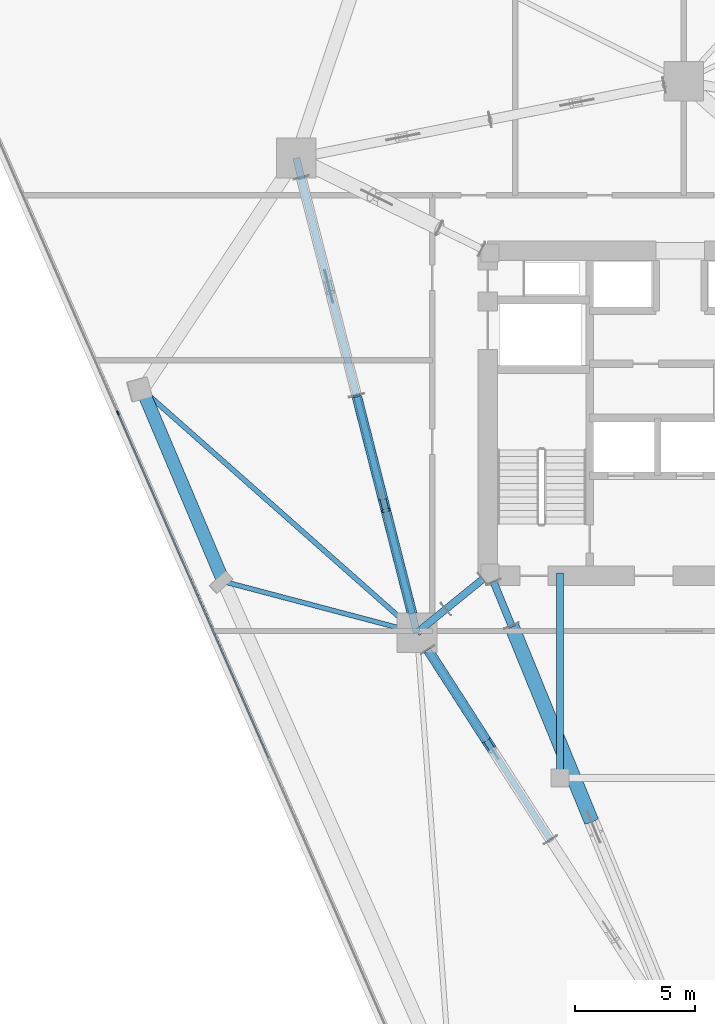
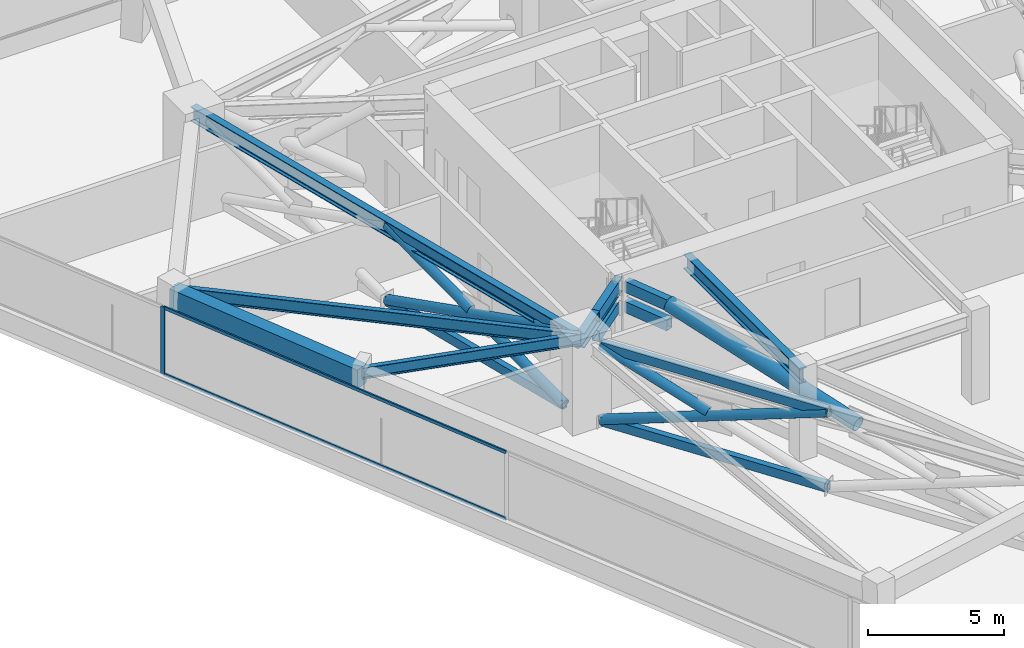
# One storey, part 4 of 15: 17 members, 6 beams, 1 element without a shape of its own.
"""IFC4 building model written with IfcOpenShell, lengths in metres."""

from ifc_helpers import new_model, si_unit, direction, frame, origin, origin_2d, place, context, subcontext, project, spatial, rectangle, hollow_rectangle, hollow_circle, i_section, extrude, material, layer, layer_set, material_profile, profile_set, type_object, element, aggregate, save


model = new_model("IFC4")

# Units and contexts
model_context = context("Model", 3, precision=1e-05, world=origin(), true_north=direction((0.0, 1.0)))
body_context = subcontext(model_context, "Body", "Model", "MODEL_VIEW")
ifc_project = project(units=[si_unit("LENGTHUNIT", "METRE"), si_unit("AREAUNIT", "SQUARE_METRE"), si_unit("VOLUMEUNIT", "CUBIC_METRE"), si_unit("PLANEANGLEUNIT", "RADIAN"), si_unit("MASSUNIT", "GRAM", prefix="KILO")], contexts=[model_context])

# Site, building, storey
site_placement = place(None, origin())
site = spatial("IfcSite", under=ifc_project, at=site_placement, CompositionType="ELEMENT")
building_placement = place(site_placement, origin())
building = spatial("IfcBuilding", under=site, at=building_placement, Name="Talyreon Biosciences Tower", CompositionType="ELEMENT")
storey_placement = place(building_placement, frame((0.0, 0.0, 118.800048828125)))
storey = spatial("IfcBuildingStorey", under=building, at=storey_placement, Name="L31", CompositionType="ELEMENT", Elevation=118.800048828125)

# Members
ifc_material_1 = material(Name="Steel SM355", Category="steel")
ifc_material_profile_1 = material_profile(ifc_material_1, hollow_circle(Radius=0.203125, WallThickness=0.01611328125, at=origin_2d()), Name="CHS 406.4x16")
ifc_profile_set_1 = profile_set([ifc_material_profile_1], Name="Steel SM355")
member_type_1 = type_object("IfcMemberType", Name="BeltBrace_CHS406", PredefinedType="BRACE", material=ifc_profile_set_1)
member_1_placement = place(storey_placement, frame((52.40576171875, 68.739501953125, 0.239990234375), z_axis=(0.231985116449, -0.911900773757, 0.338555585638), x_axis=(0.969131483005, 0.246544455723, 0.0)))
element("IfcMember", 1, at=member_1_placement, inside=storey, type_object=member_type_1, Name="L31 Continuous Diagonal BELT-L31-B5S2A", PredefinedType="BRACE", context=body_context, shape_type="SweptSolid", body=[
    extrude(hollow_circle(Radius=0.203125, WallThickness=0.01611328125, at=origin_2d()), origin(), (0.0, 0.0, 1.0), 9.924072265625),
])
member_2_placement = place(storey_placement, frame((54.7080078125, 59.689697265625, 0.239990234375), z_axis=(-0.231988630894, 0.911894173313, 0.338570955359), x_axis=(-0.969130164181, -0.246549639778, 0.0)))
element("IfcMember", 2, at=member_2_placement, inside=storey, type_object=member_type_1, Name="L31 Split Diagonal BELT-L31-B5S2B-Lower", PredefinedType="BRACE", context=body_context, shape_type="SweptSolid", body=[
    extrude(hollow_circle(Radius=0.203125, WallThickness=0.01611328125, at=origin_2d()), origin(), (0.0, 0.0, 1.0), 4.68212890625),
])
member_3_placement = place(storey_placement, frame((53.49169921875, 64.469970703125, 2.0146484375), z_axis=(-0.231939292328, 0.911905203288, 0.338575050603), x_axis=(-0.969143404198, -0.246497590455, 0.0)))
element("IfcMember", 3, at=member_3_placement, inside=storey, type_object=member_type_1, Name="L31 Split Diagonal BELT-L31-B5S2B-Upper", PredefinedType="BRACE", context=body_context, shape_type="SweptSolid", body=[
    extrude(hollow_circle(Radius=0.203125, WallThickness=0.01611328125, at=origin_2d()), origin(), (0.0, 0.0, 1.0), 4.681884765625),
])
member_4_placement = place(storey_placement, frame((55.365966796875, 58.178466796875, 0.239990234375), z_axis=(0.509871001438, -0.791703591242, 0.336507036342), x_axis=(0.840734422786, 0.54144771709, 0.0)))
element("IfcMember", 4, at=member_4_placement, inside=storey, type_object=member_type_1, Name="L31 Continuous Diagonal BELT-L31-B6S1A", PredefinedType="BRACE", context=body_context, shape_type="SweptSolid", body=[
    extrude(hollow_circle(Radius=0.203125, WallThickness=0.01611328125, at=origin_2d()), origin(), (0.0, 0.0, 1.0), 9.984619140625),
])
member_5_placement = place(storey_placement, frame((57.7685546875, 54.44775390625, 2.01416015625), z_axis=(-0.509862655947, 0.791709302461, 0.336506244322), x_axis=(-0.840740235019, -0.541438692024, 0.0)))
element("IfcMember", 5, at=member_5_placement, inside=storey, type_object=member_type_1, Name="L31 Split Diagonal BELT-L31-B6S1B-Upper", PredefinedType="BRACE", context=body_context, shape_type="SweptSolid", body=[
    extrude(hollow_circle(Radius=0.203125, WallThickness=0.01611328125, at=origin_2d()), origin(), (0.0, 0.0, 1.0), 4.712158203125),
])
ifc_material_profile_2 = material_profile(ifc_material_1, hollow_rectangle(XDim=0.25, YDim=0.39990234375, WallThickness=0.01611328125, at=origin_2d()), Name="RHS 400x250x16")
ifc_profile_set_2 = profile_set([ifc_material_profile_2], Name="Steel SM355")
member_type_2 = type_object("IfcMemberType", Name="BeltChord_RHS400x250", PredefinedType="CHORD", material=ifc_profile_set_2)
for number, where, z_axis, x_axis, name in (
    (6, (52.40576171875, 68.739501953125, 0.239990234375), (0.246544455723, -0.969131483005, 0.0), (0.969131483005, 0.246544455723, 0.0), "L31 Truss Bottom Chord BELT-L31-B5S2"),
    (7, (52.40576171875, 68.739501953125, 3.599853515625), (0.246544455723, -0.969131483005, 0.0), (0.969131483005, 0.246544455723, 0.0), "L31 Truss Top Chord BELT-L31-B5S2"),
):
    element("IfcMember", number, at=place(storey_placement, frame(where, z_axis=z_axis, x_axis=x_axis)), inside=storey, type_object=member_type_2, Name=name, PredefinedType="CHORD", context=body_context, shape_type="SweptSolid", body=[
        extrude(hollow_rectangle(XDim=0.25, YDim=0.39990234375, WallThickness=0.01611328125, at=origin_2d()), origin(), (0.0, 0.0, 1.0), 9.338134765625),
    ])
for number, where, z_axis, x_axis, name in (
    (8, (55.365966796875, 58.178466796875, 0.239990234375), (0.54144771709, -0.840734422786, 0.0), (0.840734422786, 0.54144771709, 0.0), "L31 Truss Bottom Chord BELT-L31-B6S1"),
    (9, (55.365966796875, 58.178466796875, 3.599853515625), (0.54144771709, -0.840734422786, 0.0), (0.840734422786, 0.54144771709, 0.0), "L31 Truss Top Chord BELT-L31-B6S1"),
):
    element("IfcMember", number, at=place(storey_placement, frame(where, z_axis=z_axis, x_axis=x_axis)), inside=storey, type_object=member_type_2, Name=name, PredefinedType="CHORD", context=body_context, shape_type="SweptSolid", body=[
        extrude(hollow_rectangle(XDim=0.25, YDim=0.39990234375, WallThickness=0.01611328125, at=origin_2d()), origin(), (0.0, 0.0, 1.0), 9.40234375),
    ])

# Curtain wall, members
ifc_material_2 = material(Name="Thermally broken aluminium and low-E glazing", Category="aluminium")
ifc_layer = layer(ifc_material_2, 0.18994140625)
ifc_layer_set = layer_set([ifc_layer], Name="Thermally broken aluminium and low-E glazing")
curtain_wall_type = type_object("IfcCurtainWallType", Name="CurtainWall_Zone2Genomics", PredefinedType="NOTDEFINED", material=ifc_layer_set)
curtain_wall_placement = place(storey_placement, origin())
curtain_wall = element("IfcCurtainWall", 10, at=curtain_wall_placement, inside=storey, type_object=curtain_wall_type, Name="L31 Unitised Curtain Wall FCW-L31-00", PredefinedType="NOTDEFINED")
ifc_material_3 = material(Name="Anodised thermally broken aluminium", Category="aluminium")
ifc_material_profile_3 = material_profile(ifc_material_3, rectangle(XDim=0.06494140625, YDim=0.179931640625, at=origin_2d()), Name="ALUM MULLION 65x180")
ifc_profile_set_3 = profile_set([ifc_material_profile_3], Name="Anodised thermally broken aluminium")
member_type_3 = type_object("IfcMemberType", Name="CWMullion_65x180", PredefinedType="MULLION", material=ifc_profile_set_3)
member_6_placement = place(storey_placement, frame((42.49169921875, 68.009033203125, 0.81005859375), z_axis=(0.0, 0.0, 1.0), x_axis=(-0.916416470178, -0.400226002637, 0.0)))
member_6 = element("IfcMember", 11, at=member_6_placement, type_object=member_type_3, Name="CW3 mullion 4", PredefinedType="MULLION", context=body_context, shape_type="SweptSolid", body=[
    extrude(rectangle(XDim=0.06494140625, YDim=0.179931640625, at=origin_2d()), origin(), (0.0, 0.0, 1.0), 3.039794921875),
])
ifc_material_profile_4 = material_profile(ifc_material_3, rectangle(XDim=0.06494140625, YDim=0.139892578125, at=origin_2d()), Name="ALUM TRANSOM 65x140")
ifc_profile_set_4 = profile_set([ifc_material_profile_4], Name="Anodised thermally broken aluminium")
member_type_4 = type_object("IfcMemberType", Name="CWTransom_65x140", PredefinedType="USERDEFINED", material=ifc_profile_set_4)
member_7_placement = place(storey_placement, frame((48.750732421875, 53.67724609375, 0.842529296875), z_axis=(-0.400225422207, 0.916416723668, 0.0), x_axis=(-0.916416723668, -0.400225422207, 0.0)))
member_7 = element("IfcMember", 12, at=member_7_placement, type_object=member_type_4, Name="CW3 transom 3.1", ObjectType="TRANSOM", PredefinedType="USERDEFINED", context=body_context, shape_type="SweptSolid", body=[
    extrude(rectangle(XDim=0.06494140625, YDim=0.139892578125, at=origin_2d()), origin(), (0.0, 0.0, 1.0), 15.6064453125),
])
member_8_placement = place(storey_placement, frame((48.750732421875, 53.67724609375, 3.8173828125), z_axis=(-0.400225422207, 0.916416723668, 0.0), x_axis=(-0.916416723668, -0.400225422207, 0.0)))
member_8 = element("IfcMember", 13, at=member_8_placement, type_object=member_type_4, Name="CW3 transom 3.2", ObjectType="TRANSOM", PredefinedType="USERDEFINED", context=body_context, shape_type="SweptSolid", body=[
    extrude(rectangle(XDim=0.06494140625, YDim=0.139892578125, at=origin_2d()), origin(), (0.0, 0.0, 1.0), 15.6064453125),
])
aggregate(curtain_wall, [member_6, member_7, member_8])

# Beam
ifc_material_4 = material(Name="Precast concrete C45/55", Category="concrete")
ifc_material_profile_5 = material_profile(ifc_material_4, rectangle(XDim=0.550048828125, YDim=0.85009765625, at=origin_2d()), Name="RCB 550x850")
ifc_profile_set_5 = profile_set([ifc_material_profile_5], Name="Precast concrete C45/55")
beam_type_1 = type_object("IfcBeamType", Name="ExpressedSpandrel_550x850", PredefinedType="SPANDREL", material=ifc_profile_set_5)
beam_1_placement = place(storey_placement, frame((43.507568359375, 68.970458984375, 3.425048828125), z_axis=(0.389481565559, -0.921034261084, 0.0), x_axis=(0.921034261084, 0.389481565559, 0.0)))
element("IfcBeam", 14, at=beam_1_placement, inside=storey, type_object=beam_type_1, Name="L31 Expressed Horizontal Concrete Spandrel 10", PredefinedType="SPANDREL", context=body_context, shape_type="SweptSolid", body=[
    extrude(rectangle(XDim=0.550048828125, YDim=0.85009765625, at=origin_2d()), origin(), (0.0, 0.0, 1.0), 8.647216796875),
])

# Members
ifc_material_profile_6 = material_profile(ifc_material_1, hollow_circle(Radius=0.304931640625, WallThickness=0.02490234375, at=origin_2d()), Name="CHS 610x25")
ifc_profile_set_6 = profile_set([ifc_material_profile_6], Name="Steel SM355")
member_type_5 = type_object("IfcMemberType", Name="OutriggerBrace_CHS610", PredefinedType="BRACE", material=ifc_profile_set_6)
member_9_placement = place(storey_placement, frame((62.157470703125, 51.06201171875, 1.97119140625), z_axis=(-0.372164930356, 0.910010348472, 0.182686699809), x_axis=(-0.925586883275, -0.378535231529, 0.0)))
element("IfcMember", 15, at=member_9_placement, inside=storey, type_object=member_type_5, Name="L31 Split Diagonal OUT-L31-R1B-Upper", PredefinedType="BRACE", context=body_context, shape_type="SweptSolid", body=[
    extrude(hollow_circle(Radius=0.304931640625, WallThickness=0.02490234375, at=origin_2d()), origin(), (0.0, 0.0, 1.0), 8.9150390625),
])
ifc_material_profile_7 = material_profile(ifc_material_1, hollow_rectangle(XDim=0.300048828125, YDim=0.5, WallThickness=0.02001953125, at=origin_2d()), Name="RHS 500x300x20")
ifc_profile_set_7 = profile_set([ifc_material_profile_7], Name="Steel SM355")
member_type_6 = type_object("IfcMemberType", Name="OutriggerChord_RHS500x300", PredefinedType="CHORD", material=ifc_profile_set_7)
for number, where, z_axis, x_axis, name in (
    (16, (58.095703125, 60.99365234375, 3.599853515625), (0.378555442562, -0.925578617356, 0.0), (0.925578617356, 0.378555442562, 0.0), "L31 Outrigger Core Top Tie 1"),
    (17, (58.095703125, 60.99365234375, 2.699951171875), (0.378555442562, -0.925578617356, 0.0), (0.925578617356, 0.378555442562, 0.0), "L31 Outrigger Core Plenum Tie 1"),
    (18, (57.6513671875, 61.107177734375, 3.599853515625), (-0.775764250479, -0.631022842438, 0.0), (0.631022842438, -0.775764250479, 0.0), "L31 Outrigger Core Top Tie 6"),
    (19, (57.6513671875, 61.107177734375, 2.699951171875), (-0.775764250479, -0.631022842438, 0.0), (0.631022842438, -0.775764250479, 0.0), "L31 Outrigger Core Plenum Tie 6"),
):
    element("IfcMember", number, at=place(storey_placement, frame(where, z_axis=z_axis, x_axis=x_axis)), inside=storey, type_object=member_type_6, Name=name, PredefinedType="CHORD", context=body_context, shape_type="SweptSolid", body=[
        extrude(hollow_rectangle(XDim=0.300048828125, YDim=0.5, WallThickness=0.02001953125, at=origin_2d()), origin(), (0.0, 0.0, 1.0), 1.965087890625),
    ])

# Beams
ifc_material_profile_8 = material_profile(ifc_material_1, i_section(OverallWidth=0.300048828125, OverallDepth=0.64990234375, WebThickness=0.01611328125, FlangeThickness=0.031005859375, FilletRadius=0.027099609375, at=origin_2d()), Name="HE650B")
ifc_profile_set_8 = profile_set([ifc_material_profile_8], Name="Steel SM355")
beam_type_2 = type_object("IfcBeamType", Name="SteelBeam_HE650B", PredefinedType="BEAM", material=ifc_profile_set_8)
beam_2_placement = place(storey_placement, frame((49.897705078125, 78.5986328125, 3.52490234375), z_axis=(0.246537082299, -0.969133358755, 0.0), x_axis=(0.969133358755, 0.246537082299, 0.0)))
element("IfcBeam", 20, at=beam_2_placement, inside=storey, type_object=beam_type_2, Name="L31 Mega-Ring Girder 5", PredefinedType="BEAM", context=body_context, shape_type="SweptSolid", body=[
    extrude(i_section(OverallWidth=0.300048828125, OverallDepth=0.64990234375, WebThickness=0.01611328125, FlangeThickness=0.031005859375, FilletRadius=0.027099609375, at=origin_2d()), origin(), (0.0, 0.0, 1.0), 20.34619140625),
])
beam_3_placement = place(storey_placement, frame((57.949951171875, 61.35009765625, 3.52490234375), z_axis=(-0.775755154013, -0.631034025249, 0.0), x_axis=(0.631034025249, -0.775755154013, 0.0)))
element("IfcBeam", 21, at=beam_3_placement, inside=storey, type_object=beam_type_2, Name="L31 Radial Primary Girder 6", PredefinedType="BEAM", context=body_context, shape_type="SweptSolid", body=[
    extrude(i_section(OverallWidth=0.300048828125, OverallDepth=0.64990234375, WebThickness=0.01611328125, FlangeThickness=0.031005859375, FilletRadius=0.027099609375, at=origin_2d()), origin(), (0.0, 0.0, 1.0), 3.913818359375),
])
beam_4_placement = place(storey_placement, frame((60.85009765625, 52.840087890625, 3.52490234375), z_axis=(0.0, 1.0, 0.0), x_axis=(-1.0, 0.0, 0.0)))
element("IfcBeam", 22, at=beam_4_placement, inside=storey, type_object=beam_type_2, Name="L31 Crown Shaft Tie Girder W", PredefinedType="BEAM", context=body_context, shape_type="SweptSolid", body=[
    extrude(i_section(OverallWidth=0.300048828125, OverallDepth=0.64990234375, WebThickness=0.01611328125, FlangeThickness=0.031005859375, FilletRadius=0.027099609375, at=origin_2d()), origin(), (0.0, 0.0, 1.0), 8.510009765625),
])
ifc_material_profile_9 = material_profile(ifc_material_1, i_section(OverallWidth=0.199951171875, OverallDepth=0.5, WebThickness=0.01025390625, FlangeThickness=0.01611328125, FilletRadius=0.02099609375, at=origin_2d()), Name="IPE500")
ifc_profile_set_9 = profile_set([ifc_material_profile_9], Name="Steel SM355")
beam_type_3 = type_object("IfcBeamType", Name="SteelJoist_IPE500", PredefinedType="JOIST", material=ifc_profile_set_9)
beam_5_placement = place(storey_placement, frame((54.913818359375, 58.88037109375, 3.599853515625), z_axis=(-0.966766512824, 0.255660927173, 0.0), x_axis=(-0.255660927173, -0.966766512824, 0.0)))
element("IfcBeam", 23, at=beam_5_placement, inside=storey, type_object=beam_type_3, Name="L31 Radial Composite Floor Joist PL-SW", PredefinedType="JOIST", context=body_context, shape_type="SweptSolid", body=[
    extrude(i_section(OverallWidth=0.199951171875, OverallDepth=0.5, WebThickness=0.01025390625, FlangeThickness=0.01611328125, FilletRadius=0.02099609375, at=origin_2d()), origin(), (0.0, 0.0, 1.0), 8.314697265625),
])
ifc_material_profile_10 = material_profile(ifc_material_1, i_section(OverallWidth=0.2099609375, OverallDepth=0.550048828125, WebThickness=0.010986328125, FlangeThickness=0.01708984375, FilletRadius=0.02392578125, at=origin_2d()), Name="IPE550")
ifc_profile_set_10 = profile_set([ifc_material_profile_10], Name="Steel SM355")
beam_type_4 = type_object("IfcBeamType", Name="SteelJoist_IPE550", PredefinedType="JOIST", material=ifc_profile_set_10)
beam_6_placement = place(storey_placement, frame((54.913818359375, 58.88037109375, 3.574951171875), z_axis=(-0.748998398477, 0.662571806735, 0.0), x_axis=(-0.662571806735, -0.748998398477, 0.0)))
element("IfcBeam", 24, at=beam_6_placement, inside=storey, type_object=beam_type_4, Name="L31 Radial Composite Floor Joist PC-SW1", PredefinedType="JOIST", context=body_context, shape_type="SweptSolid", body=[
    extrude(i_section(OverallWidth=0.2099609375, OverallDepth=0.550048828125, WebThickness=0.010986328125, FlangeThickness=0.01708984375, FilletRadius=0.02392578125, at=origin_2d()), origin(), (0.0, 0.0, 1.0), 15.228759765625),
])

save(model, "model.ifc")
